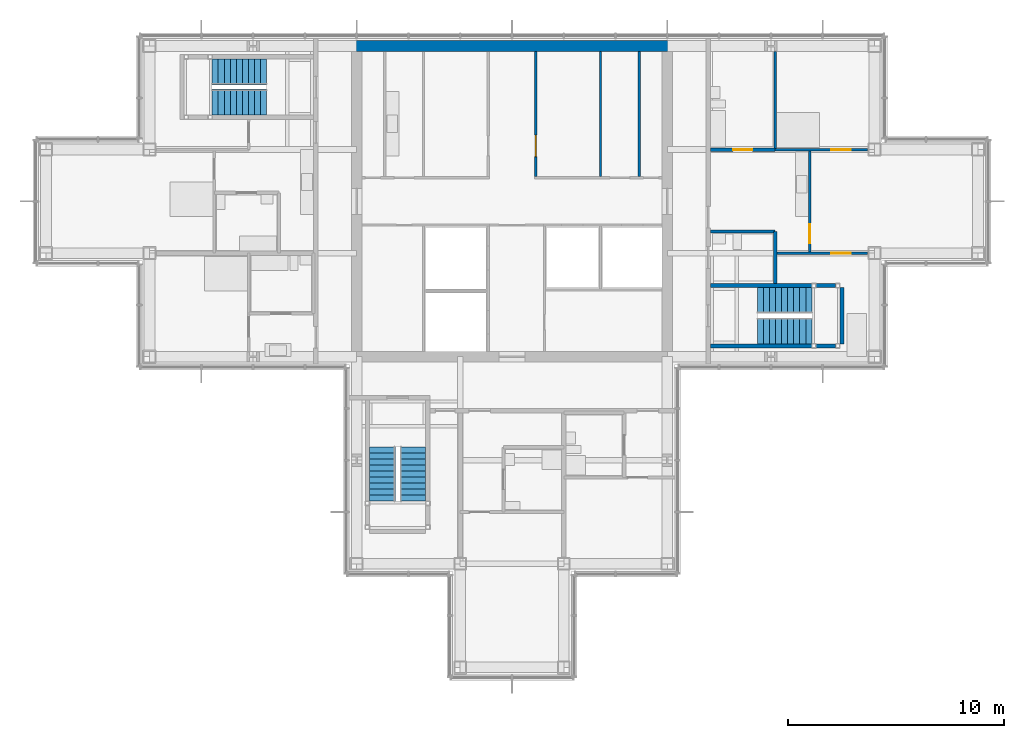
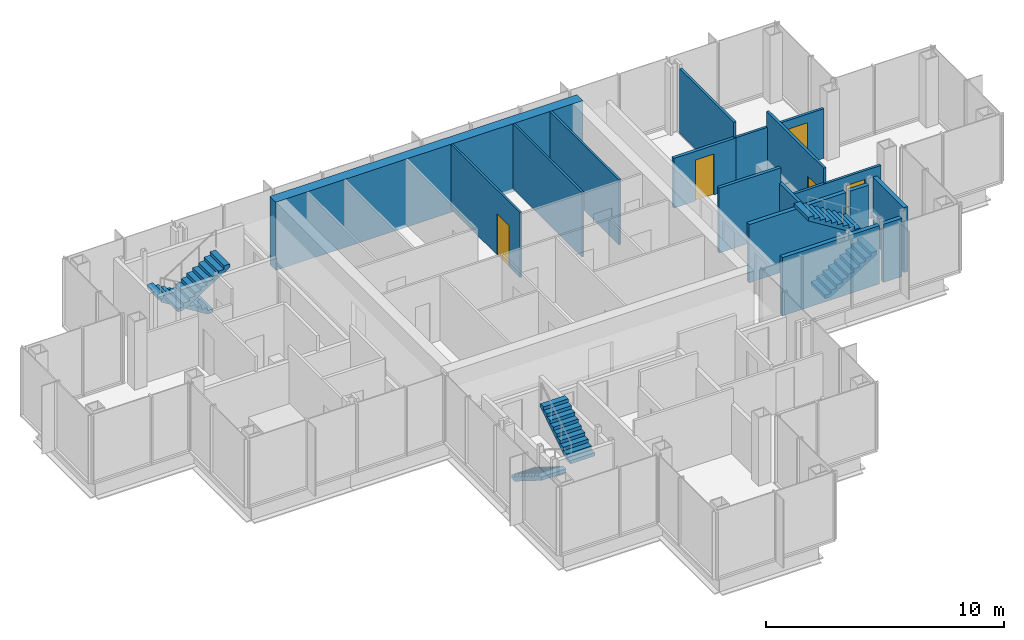
# One storey, part 12 of 15: 16 walls, 6 stair flights, 5 doors, 5 openings, 3 elements without a shape of their own.
"""IFC4 building model written with IfcOpenShell, lengths in metres."""

from ifc_helpers import new_model, si_unit, direction, frame, frame_2d, origin, place, context, subcontext, project, spatial, polyline, rectangle, outline, extrude, material, layer, layer_set, type_object, element, fill, aggregate, save


model = new_model("IFC4")

# Units and contexts
model_context = context("Model", 3, precision=1e-05, world=origin(), true_north=direction((0.0, 1.0)))
body_context = subcontext(model_context, "Body", "Model", "MODEL_VIEW")
ifc_project = project(units=[si_unit("LENGTHUNIT", "METRE"), si_unit("AREAUNIT", "SQUARE_METRE"), si_unit("VOLUMEUNIT", "CUBIC_METRE"), si_unit("PLANEANGLEUNIT", "RADIAN"), si_unit("MASSUNIT", "GRAM", prefix="KILO")], contexts=[model_context])

# Site, building, storey
site_placement = place(None, origin())
site = spatial("IfcSite", under=ifc_project, at=site_placement, CompositionType="ELEMENT")
building_placement = place(site_placement, origin())
building = spatial("IfcBuilding", under=site, at=building_placement, Name="Kvirike Care Tower", CompositionType="ELEMENT")
storey_placement = place(building_placement, frame((0.0, 0.0, 208.5)))
storey = spatial("IfcBuildingStorey", under=building, at=storey_placement, Name="L57", CompositionType="ELEMENT", Elevation=208.5)

# Walls
ifc_material_1 = material(Name="Moisture-resistant board partition", Category="gypsum")
ifc_layer_1 = layer(ifc_material_1, 0.14990234375)
ifc_layer_set_1 = layer_set([ifc_layer_1], Name="BATHROOM WALL 150")
wall_type_1 = type_object("IfcWallType", Name="BATHROOM WALL 150", PredefinedType="PARTITIONING", material=ifc_layer_set_1)
wall_1_placement = place(storey_placement, frame((33.800048828125, 32.199951171875, 0.0), z_axis=(0.0, 0.0, 1.0), x_axis=(0.0, 1.0, 0.0)))
element("IfcWall", 1, at=wall_1_placement, inside=storey, type_object=wall_type_1, Name="Bathroom Wall 150 L57", PredefinedType="PARTITIONING", context=body_context, shape_type="SweptSolid", body=[
    extrude(rectangle(XDim=2.400146484375, YDim=0.14990234375, at=frame_2d((1.2001953125, 0.0))), origin(), (0.0, 0.0, 1.0), 2.550048828125),
])
wall_2_placement = place(storey_placement, frame((33.800048828125, 34.60009765625, 0.0), z_axis=(0.0, 0.0, 1.0), x_axis=(-1.0, 0.0, 0.0)))
element("IfcWall", 2, at=wall_2_placement, inside=storey, type_object=wall_type_1, Name="Bathroom Wall 150 L57", PredefinedType="PARTITIONING", context=body_context, shape_type="SweptSolid", body=[
    extrude(rectangle(XDim=3.0, YDim=0.14990234375, at=frame_2d((1.5, 0.0))), origin(), (0.0, 0.0, 1.0), 3.330078125),
])

# Wall, opening, door
wall_3_placement = place(storey_placement, frame((33.800048828125, 38.39990234375, 0.0), z_axis=(0.0, 0.0, 1.0), x_axis=(-1.0, 0.0, 0.0)))
wall_3 = element("IfcWall", 3, at=wall_3_placement, inside=storey, type_object=wall_type_1, Name="Bathroom Wall 150 L57", PredefinedType="PARTITIONING", context=body_context, shape_type="SweptSolid", body=[
    extrude(rectangle(XDim=3.0, YDim=0.14990234375, at=frame_2d((1.5, 0.0))), origin(), (0.0, 0.0, 1.0), 2.550048828125),
])
opening_1_placement = place(wall_3_placement, frame((1.050048828125, 0.0, 0.0)))
opening_1 = element("IfcOpeningElement", 4, at=opening_1_placement, cuts=wall_3, Name="Opening 57-017", PredefinedType="OPENING", context=body_context, shape_type="SweptSolid", body=[
    extrude(rectangle(XDim=0.89990234375, YDim=2.10009765625, at=frame_2d((0.449951171875, 1.050048828125))), frame((0.0, 0.08544921875, 0.0), z_axis=(0.0, -1.0, 0.0), x_axis=(1.0, 0.0, 0.0)), (0.0, 0.0, 1.0), 0.1708984375),
])
ifc_material_2 = material(Name="Timber door set", Category="wood")
door_type_1 = type_object("IfcDoorType", Name="BATHROOM DOOR 900", OperationType="SINGLE_SWING_RIGHT", PredefinedType="DOOR", material=ifc_material_2)
door_1_placement = place(opening_1_placement, frame((0.89990234375, 0.0, 0.0), z_axis=(0.0, 0.0, 1.0), x_axis=(-1.0, 0.0, 0.0)))
door_1 = element("IfcDoor", 5, at=door_1_placement, inside=storey, type_object=door_type_1, Name="Bathroom door", OperationType="SINGLE_SWING_RIGHT", OverallHeight=2.10009765625, OverallWidth=0.89990234375, PredefinedType="DOOR", context=body_context, shape_type="SweptSolid", body=[
    extrude(rectangle(XDim=0.89990234375, YDim=2.10009765625, at=frame_2d((0.449951171875, 1.050048828125))), frame((0.0, 0.02197265625, 0.0), z_axis=(0.0, -1.0, 0.0), x_axis=(1.0, 0.0, 0.0)), (0.0, 0.0, 1.0), 0.0439453125),
])
fill(opening_1, door_1)

# Wall
ifc_material_3 = material(Name="Concrete C40/50", Category="concrete")
ifc_layer_2 = layer(ifc_material_3, 0.5)
ifc_layer_set_2 = layer_set([ifc_layer_2], Name="CORE WALL 500 C40-50")
wall_type_2 = type_object("IfcWallType", Name="CORE WALL 500 C40-50", PredefinedType="SHEAR", material=ifc_layer_set_2)
wall_4_placement = place(storey_placement, frame((29.050048828125, 43.199951171875, -0.169921875), z_axis=(0.0, 0.0, 1.0), x_axis=(-1.0, 0.0, 0.0)))
element("IfcWall", 6, at=wall_4_placement, inside=storey, type_object=wall_type_2, Name="Core wall N L57", PredefinedType="SHEAR", context=body_context, shape_type="SweptSolid", body=[
    extrude(rectangle(XDim=14.900146484375, YDim=0.5, at=frame_2d((7.4501953125, 0.0))), origin(), (0.0, 0.0, 1.0), 3.5),
])

# Wall, opening, door
ifc_material_4 = material(Name="Plasterboard partition", Category="gypsum")
ifc_layer_3 = layer(ifc_material_4, 0.1201171875)
ifc_layer_set_3 = layer_set([ifc_layer_3], Name="PARTITION 120")
wall_type_3 = type_object("IfcWallType", Name="PARTITION 120", PredefinedType="PARTITIONING", material=ifc_layer_set_3)
wall_5_placement = place(storey_placement, frame((35.39990234375, 33.60009765625, 0.0), z_axis=(0.0, 0.0, 1.0), x_axis=(0.0, 1.0, 0.0)))
wall_5 = element("IfcWall", 7, at=wall_5_placement, inside=storey, type_object=wall_type_3, Name="Partition 120 L57", PredefinedType="PARTITIONING", context=body_context, shape_type="SweptSolid", body=[
    extrude(rectangle(XDim=4.7998046875, YDim=0.1201171875, at=frame_2d((2.39990234375, 0.0))), origin(), (0.0, 0.0, 1.0), 3.330078125),
])
opening_2_placement = place(wall_5_placement, frame((0.449951171875, 0.0, 0.0)))
opening_2 = element("IfcOpeningElement", 8, at=opening_2_placement, cuts=wall_5, Name="Opening 57-018", PredefinedType="OPENING", context=body_context, shape_type="SweptSolid", body=[
    extrude(rectangle(XDim=0.89990234375, YDim=2.10009765625, at=frame_2d((0.449951171875, 1.050048828125))), frame((0.0, 0.070556640625, 0.0), z_axis=(0.0, -1.0, 0.0), x_axis=(1.0, 0.0, 0.0)), (0.0, 0.0, 1.0), 0.14111328125),
])
ifc_material_5 = material(Name="Timber door set", Category="wood")
door_type_2 = type_object("IfcDoorType", Name="INTERNAL DOOR 900", OperationType="SINGLE_SWING_LEFT", PredefinedType="DOOR", material=ifc_material_5)
door_2_placement = place(opening_2_placement, origin())
door_2 = element("IfcDoor", 9, at=door_2_placement, inside=storey, type_object=door_type_2, Name="Apartment living room door", OperationType="SINGLE_SWING_RIGHT", OverallHeight=2.10009765625, OverallWidth=0.89990234375, PredefinedType="DOOR", context=body_context, shape_type="SweptSolid", body=[
    extrude(rectangle(XDim=0.89990234375, YDim=2.10009765625, at=frame_2d((0.449951171875, 1.050048828125))), frame((0.0, 0.02197265625, 0.0), z_axis=(0.0, -1.0, 0.0), x_axis=(1.0, 0.0, 0.0)), (0.0, 0.0, 1.0), 0.0439453125),
])
fill(opening_2, door_2)

# Wall
wall_6_placement = place(storey_placement, frame((33.800048828125, 38.39990234375, 0.0), z_axis=(0.0, 0.0, 1.0), x_axis=(0.0, 1.0, 0.0)))
element("IfcWall", 10, at=wall_6_placement, inside=storey, type_object=wall_type_3, Name="Partition 120 L57", PredefinedType="PARTITIONING", context=body_context, shape_type="SweptSolid", body=[
    extrude(rectangle(XDim=4.552978515625, YDim=0.1201171875, at=frame_2d((2.2763671875, 0.0))), origin(), (0.0, 0.0, 1.0), 3.330078125),
])

# Wall, opening, door
wall_7_placement = place(storey_placement, frame((38.080078125, 33.60009765625, 0.0), z_axis=(0.0, 0.0, 1.0), x_axis=(-1.0, 0.0, 0.0)))
wall_7 = element("IfcWall", 11, at=wall_7_placement, inside=storey, type_object=wall_type_3, Name="Partition 120 L57", PredefinedType="PARTITIONING", context=body_context, shape_type="SweptSolid", body=[
    extrude(rectangle(XDim=4.280029296875, YDim=0.1201171875, at=frame_2d((2.14013671875, 0.0))), origin(), (0.0, 0.0, 1.0), 2.550048828125),
])
opening_3_placement = place(wall_7_placement, frame((0.780029296875, 0.0, 0.0)))
opening_3 = element("IfcOpeningElement", 12, at=opening_3_placement, cuts=wall_7, Name="Opening 57-019", PredefinedType="OPENING", context=body_context, shape_type="SweptSolid", body=[
    extrude(rectangle(XDim=0.89990234375, YDim=2.10009765625, at=frame_2d((0.449951171875, 1.050048828125))), frame((0.0, 0.070556640625, 0.0), z_axis=(0.0, -1.0, 0.0), x_axis=(1.0, 0.0, 0.0)), (0.0, 0.0, 1.0), 0.14111328125),
])
door_3_placement = place(opening_3_placement, origin())
door_3 = element("IfcDoor", 13, at=door_3_placement, inside=storey, type_object=door_type_2, Name="Connecting door", OperationType="SINGLE_SWING_RIGHT", OverallHeight=2.10009765625, OverallWidth=0.89990234375, PredefinedType="DOOR", context=body_context, shape_type="SweptSolid", body=[
    extrude(rectangle(XDim=0.89990234375, YDim=2.10009765625, at=frame_2d((0.449951171875, 1.050048828125))), frame((0.0, 0.02197265625, 0.0), z_axis=(0.0, -1.0, 0.0), x_axis=(1.0, 0.0, 0.0)), (0.0, 0.0, 1.0), 0.0439453125),
])
fill(opening_3, door_3)

wall_8_placement = place(storey_placement, frame((38.080078125, 38.39990234375, 0.0), z_axis=(0.0, 0.0, 1.0), x_axis=(-1.0, 0.0, 0.0)))
wall_8 = element("IfcWall", 14, at=wall_8_placement, inside=storey, type_object=wall_type_3, Name="Partition 120 L57", PredefinedType="PARTITIONING", context=body_context, shape_type="SweptSolid", body=[
    extrude(rectangle(XDim=4.280029296875, YDim=0.1201171875, at=frame_2d((2.14013671875, 0.0))), origin(), (0.0, 0.0, 1.0), 2.550048828125),
])
opening_4_placement = place(wall_8_placement, frame((0.780029296875, 0.0, 0.0)))
opening_4 = element("IfcOpeningElement", 15, at=opening_4_placement, cuts=wall_8, Name="Opening 57-020", PredefinedType="OPENING", context=body_context, shape_type="SweptSolid", body=[
    extrude(rectangle(XDim=0.89990234375, YDim=2.10009765625, at=frame_2d((0.449951171875, 1.050048828125))), frame((0.0, 0.070556640625, 0.0), z_axis=(0.0, -1.0, 0.0), x_axis=(1.0, 0.0, 0.0)), (0.0, 0.0, 1.0), 0.14111328125),
])
door_4_placement = place(opening_4_placement, frame((0.89990234375, 0.0, 0.0), z_axis=(0.0, 0.0, 1.0), x_axis=(-1.0, 0.0, 0.0)))
door_4 = element("IfcDoor", 16, at=door_4_placement, inside=storey, type_object=door_type_2, Name="Connecting door", OperationType="SINGLE_SWING_LEFT", OverallHeight=2.10009765625, OverallWidth=0.89990234375, PredefinedType="DOOR", context=body_context, shape_type="SweptSolid", body=[
    extrude(rectangle(XDim=0.89990234375, YDim=2.10009765625, at=frame_2d((0.449951171875, 1.050048828125))), frame((0.0, 0.02197265625, 0.0), z_axis=(0.0, -1.0, 0.0), x_axis=(1.0, 0.0, 0.0)), (0.0, 0.0, 1.0), 0.0439453125),
])
fill(opening_4, door_4)

# Wall
ifc_material_6 = material(Name="Gypsum shaft wall system", Category="gypsum")
ifc_layer_4 = layer(ifc_material_6, 0.10009765625)
ifc_layer_set_4 = layer_set([ifc_layer_4], Name="SHAFT WALL 100")
wall_type_4 = type_object("IfcWallType", Name="SHAFT WALL 100", PredefinedType="SOLIDWALL", material=ifc_layer_set_4)
wall_9_placement = place(storey_placement, frame((27.5, 37.14990234375, 0.0), z_axis=(0.0, 0.0, 1.0), x_axis=(0.0, 1.0, 0.0)))
element("IfcWall", 17, at=wall_9_placement, inside=storey, type_object=wall_type_4, Name="Shaft Wall 100 L57", PredefinedType="SOLIDWALL", context=body_context, shape_type="SweptSolid", body=[
    extrude(rectangle(XDim=5.800048828125, YDim=0.10009765625, at=frame_2d((2.89990234375, 0.0))), origin(), (0.0, 0.0, 1.0), 3.330078125),
])

# Wall, opening, door
wall_10_placement = place(storey_placement, frame((22.699951171875, 37.14990234375, 0.0), z_axis=(0.0, 0.0, 1.0), x_axis=(0.0, 1.0, 0.0)))
wall_10 = element("IfcWall", 18, at=wall_10_placement, inside=storey, type_object=wall_type_4, Name="Shaft Wall 100 L57", PredefinedType="SOLIDWALL", context=body_context, shape_type="SweptSolid", body=[
    extrude(rectangle(XDim=5.800048828125, YDim=0.10009765625, at=frame_2d((2.89990234375, 0.0))), origin(), (0.0, 0.0, 1.0), 3.330078125),
])
opening_5_placement = place(wall_10_placement, frame((0.925048828125, 0.0, 0.0)))
opening_5 = element("IfcOpeningElement", 19, at=opening_5_placement, cuts=wall_10, Name="Opening 57-027", PredefinedType="OPENING", context=body_context, shape_type="SweptSolid", body=[
    extrude(rectangle(XDim=1.0, YDim=2.10009765625, at=frame_2d((0.5, 1.050048828125))), frame((0.0, 0.060546875, 0.0), z_axis=(0.0, -1.0, 0.0), x_axis=(1.0, 0.0, 0.0)), (0.0, 0.0, 1.0), 0.12109375),
])
ifc_material_7 = material(Name="Timber door set", Category="wood")
door_type_3 = type_object("IfcDoorType", Name="WC DOOR 1000", OperationType="SINGLE_SWING_LEFT", PredefinedType="DOOR", material=ifc_material_7)
door_5_placement = place(opening_5_placement, frame((1.0, 0.0, 0.0), z_axis=(0.0, 0.0, 1.0), x_axis=(-1.0, 0.0, 0.0)))
door_5 = element("IfcDoor", 20, at=door_5_placement, inside=storey, type_object=door_type_3, Name="Staff WC door", OperationType="SINGLE_SWING_LEFT", OverallHeight=2.10009765625, OverallWidth=1.0, PredefinedType="DOOR", context=body_context, shape_type="SweptSolid", body=[
    extrude(rectangle(XDim=1.0, YDim=2.10009765625, at=frame_2d((0.5, 1.050048828125))), frame((0.0, 0.02685546875, 0.0), z_axis=(0.0, -1.0, 0.0), x_axis=(1.0, 0.0, 0.0)), (0.0, 0.0, 1.0), 0.053955078125),
])
fill(opening_5, door_5)

# Walls
wall_11_placement = place(storey_placement, frame((25.699951171875, 37.14990234375, 0.0), z_axis=(0.0, 0.0, 1.0), x_axis=(0.0, 1.0, 0.0)))
element("IfcWall", 21, at=wall_11_placement, inside=storey, type_object=wall_type_4, Name="Shaft Wall 100 L57", PredefinedType="SOLIDWALL", context=body_context, shape_type="SweptSolid", body=[
    extrude(rectangle(XDim=5.800048828125, YDim=0.10009765625, at=frame_2d((2.89990234375, 0.0))), origin(), (0.0, 0.0, 1.0), 3.330078125),
])
ifc_material_8 = material(Name="Concrete C40/50", Category="concrete")
ifc_layer_5 = layer(ifc_material_8, 0.199951171875)
ifc_layer_set_5 = layer_set([ifc_layer_5], Name="STAIR WALL 200")
wall_type_5 = type_object("IfcWallType", Name="STAIR WALL 200", PredefinedType="SOLIDWALL", material=ifc_layer_set_5)
wall_12_placement = place(storey_placement, frame((36.60009765625, 29.300048828125, 0.0), z_axis=(0.0, 0.0, 1.0), x_axis=(-1.0, 0.0, 0.0)))
element("IfcWall", 22, at=wall_12_placement, inside=storey, type_object=wall_type_5, Name="Stair Wall 200 L57", PredefinedType="SOLIDWALL", context=body_context, shape_type="SweptSolid", body=[
    extrude(rectangle(XDim=0.900146484375, YDim=0.199951171875, at=frame_2d((0.4501953125, 0.0))), origin(), (0.0, 0.0, 1.0), 2.989990234375),
])
wall_13_placement = place(storey_placement, frame((35.5, 29.300048828125, 0.0), z_axis=(0.0, 0.0, 1.0), x_axis=(-1.0, 0.0, 0.0)))
element("IfcWall", 23, at=wall_13_placement, inside=storey, type_object=wall_type_5, Name="Stair Wall 200 L57", PredefinedType="SOLIDWALL", context=body_context, shape_type="SweptSolid", body=[
    extrude(rectangle(XDim=4.699951171875, YDim=0.199951171875, at=frame_2d((2.35009765625, 0.0))), origin(), (0.0, 0.0, 1.0), 2.989990234375),
])
wall_14_placement = place(storey_placement, frame((36.60009765625, 32.10009765625, 0.0), z_axis=(0.0, 0.0, 1.0), x_axis=(-1.0, 0.0, 0.0)))
element("IfcWall", 24, at=wall_14_placement, inside=storey, type_object=wall_type_5, Name="Stair Wall 200 L57", PredefinedType="SOLIDWALL", context=body_context, shape_type="SweptSolid", body=[
    extrude(rectangle(XDim=0.900146484375, YDim=0.199951171875, at=frame_2d((0.4501953125, 0.0))), origin(), (0.0, 0.0, 1.0), 2.989990234375),
])
wall_15_placement = place(storey_placement, frame((35.5, 32.10009765625, 0.0), z_axis=(0.0, 0.0, 1.0), x_axis=(-1.0, 0.0, 0.0)))
element("IfcWall", 25, at=wall_15_placement, inside=storey, type_object=wall_type_5, Name="Stair Wall 200 L57", PredefinedType="SOLIDWALL", context=body_context, shape_type="SweptSolid", body=[
    extrude(rectangle(XDim=4.699951171875, YDim=0.199951171875, at=frame_2d((2.35009765625, 0.0))), origin(), (0.0, 0.0, 1.0), 2.989990234375),
])
wall_16_placement = place(storey_placement, frame((36.89990234375, 29.39990234375, 0.0), z_axis=(0.0, 0.0, 1.0), x_axis=(0.0, 1.0, 0.0)))
element("IfcWall", 26, at=wall_16_placement, inside=storey, type_object=wall_type_5, Name="Stair Wall 200 L57", PredefinedType="SOLIDWALL", context=body_context, shape_type="SweptSolid", body=[
    extrude(rectangle(XDim=2.60009765625, YDim=0.199951171875, at=frame_2d((1.300048828125, 0.0))), origin(), (0.0, 0.0, 1.0), 3.330078125),
])

# Stair, stair flights
ifc_material_9 = material(Name="Concrete C35/45", Category="concrete")
stair_type = type_object("IfcStairType", Name="STAIR 20 RISERS", PredefinedType="HALF_TURN_STAIR", material=ifc_material_9)
stair_1_placement = place(storey_placement, origin())
stair_1 = element("IfcStair", 27, at=stair_1_placement, inside=storey, type_object=stair_type, Name="Stair 1 L57", PredefinedType="HALF_TURN_STAIR")
ifc_material_10 = material(Name="Concrete C35/45", Category="concrete")
stair_flight_type = type_object("IfcStairFlightType", Name="FLIGHT 10 RISERS", PredefinedType="STRAIGHT", material=ifc_material_10)
stair_flight_1_placement = place(storey_placement, frame((10.219970703125, 42.0, 0.0), z_axis=(0.0, 0.0, 1.0), x_axis=(-1.0, 0.0, 0.0)))
stair_flight_1 = element("IfcStairFlight", 28, at=stair_flight_1_placement, type_object=stair_flight_type, Name="Stair S1 flight 1 L57-L58", NumberOfRisers=10, NumberOfTreads=9, PredefinedType="STRAIGHT", RiserHeight=0.175, TreadLength=0.28, context=body_context, shape_type="SweptSolid", body=[
    extrude(outline(polyline([(0.0, 0.0), (0.0, 0.175048828125), (0.280029296875, 0.175048828125), (0.280029296875, 0.35009765625), (0.56005859375, 0.35009765625), (0.56005859375, 0.52490234375), (0.840087890625, 0.52490234375), (0.840087890625, 0.699951171875), (1.1201171875, 0.699951171875), (1.1201171875, 0.875), (1.39990234375, 0.875), (1.39990234375, 1.050048828125), (1.679931640625, 1.050048828125), (1.679931640625, 1.22509765625), (1.9599609375, 1.22509765625), (1.9599609375, 1.39990234375), (2.239990234375, 1.39990234375), (2.239990234375, 1.574951171875), (2.52001953125, 1.574951171875), (2.52001953125, 1.75), (2.52001953125, 1.398193359375), (0.28271484375, 0.0), (0.0, 0.0)])), frame((0.0, 0.60009765625, 0.0), z_axis=(0.0, -1.0, 0.0), x_axis=(1.0, 0.0, 0.0)), (0.0, 0.0, 1.0), 1.199951171875),
])
stair_flight_2_placement = place(storey_placement, frame((7.699951171875, 40.60009765625, 1.75), z_axis=(0.0, 0.0, 1.0), x_axis=(1.0, 0.0, 0.0)))
stair_flight_2 = element("IfcStairFlight", 29, at=stair_flight_2_placement, type_object=stair_flight_type, Name="Stair S1 flight 2 L57-L58", NumberOfRisers=10, NumberOfTreads=9, PredefinedType="STRAIGHT", RiserHeight=0.175, TreadLength=0.28, context=body_context, shape_type="SweptSolid", body=[
    extrude(outline(polyline([(0.0, 0.0), (0.0, 0.175048828125), (0.280029296875, 0.175048828125), (0.280029296875, 0.35009765625), (0.56005859375, 0.35009765625), (0.56005859375, 0.52490234375), (0.840087890625, 0.52490234375), (0.840087890625, 0.699951171875), (1.1201171875, 0.699951171875), (1.1201171875, 0.875), (1.39990234375, 0.875), (1.39990234375, 1.050048828125), (1.679931640625, 1.050048828125), (1.679931640625, 1.22509765625), (1.9599609375, 1.22509765625), (1.9599609375, 1.39990234375), (2.239990234375, 1.39990234375), (2.239990234375, 1.574951171875), (2.52001953125, 1.574951171875), (2.52001953125, 1.75), (2.52001953125, 1.398193359375), (0.28271484375, 0.0), (0.0, 0.0)])), frame((0.0, 0.60009765625, 0.0), z_axis=(0.0, -1.0, 0.0), x_axis=(1.0, 0.0, 0.0)), (0.0, 0.0, 1.0), 1.199951171875),
])
aggregate(stair_1, [stair_flight_1, stair_flight_2])

stair_2_placement = place(storey_placement, origin())
stair_2 = element("IfcStair", 30, at=stair_2_placement, inside=storey, type_object=stair_type, Name="Stair 2 L57", PredefinedType="HALF_TURN_STAIR")
stair_flight_3_placement = place(storey_placement, frame((32.97998046875, 30.0, 0.0), z_axis=(0.0, 0.0, 1.0), x_axis=(1.0, 0.0, 0.0)))
stair_flight_3 = element("IfcStairFlight", 31, at=stair_flight_3_placement, type_object=stair_flight_type, Name="Stair S2 flight 1 L57-L58", NumberOfRisers=10, NumberOfTreads=9, PredefinedType="STRAIGHT", RiserHeight=0.175, TreadLength=0.28, context=body_context, shape_type="SweptSolid", body=[
    extrude(outline(polyline([(0.0, 0.0), (0.0, 0.175048828125), (0.280029296875, 0.175048828125), (0.280029296875, 0.35009765625), (0.56005859375, 0.35009765625), (0.56005859375, 0.52490234375), (0.840087890625, 0.52490234375), (0.840087890625, 0.699951171875), (1.1201171875, 0.699951171875), (1.1201171875, 0.875), (1.39990234375, 0.875), (1.39990234375, 1.050048828125), (1.679931640625, 1.050048828125), (1.679931640625, 1.22509765625), (1.9599609375, 1.22509765625), (1.9599609375, 1.39990234375), (2.239990234375, 1.39990234375), (2.239990234375, 1.574951171875), (2.52001953125, 1.574951171875), (2.52001953125, 1.75), (2.52001953125, 1.398193359375), (0.28271484375, 0.0), (0.0, 0.0)])), frame((0.0, 0.60009765625, 0.0), z_axis=(0.0, -1.0, 0.0), x_axis=(1.0, 0.0, 0.0)), (0.0, 0.0, 1.0), 1.199951171875),
])
stair_flight_4_placement = place(storey_placement, frame((35.5, 31.39990234375, 1.75), z_axis=(0.0, 0.0, 1.0), x_axis=(-1.0, 0.0, 0.0)))
stair_flight_4 = element("IfcStairFlight", 32, at=stair_flight_4_placement, type_object=stair_flight_type, Name="Stair S2 flight 2 L57-L58", NumberOfRisers=10, NumberOfTreads=9, PredefinedType="STRAIGHT", RiserHeight=0.175, TreadLength=0.28, context=body_context, shape_type="SweptSolid", body=[
    extrude(outline(polyline([(0.0, 0.0), (0.0, 0.175048828125), (0.280029296875, 0.175048828125), (0.280029296875, 0.35009765625), (0.56005859375, 0.35009765625), (0.56005859375, 0.52490234375), (0.840087890625, 0.52490234375), (0.840087890625, 0.699951171875), (1.1201171875, 0.699951171875), (1.1201171875, 0.875), (1.39990234375, 0.875), (1.39990234375, 1.050048828125), (1.679931640625, 1.050048828125), (1.679931640625, 1.22509765625), (1.9599609375, 1.22509765625), (1.9599609375, 1.39990234375), (2.239990234375, 1.39990234375), (2.239990234375, 1.574951171875), (2.52001953125, 1.574951171875), (2.52001953125, 1.75), (2.52001953125, 1.398193359375), (0.28271484375, 0.0), (0.0, 0.0)])), frame((0.0, 0.60009765625, 0.0), z_axis=(0.0, -1.0, 0.0), x_axis=(1.0, 0.0, 0.0)), (0.0, 0.0, 1.0), 1.199951171875),
])
aggregate(stair_2, [stair_flight_3, stair_flight_4])

stair_3_placement = place(storey_placement, origin())
stair_3 = element("IfcStair", 33, at=stair_3_placement, inside=storey, type_object=stair_type, Name="Stair 5 L57", PredefinedType="HALF_TURN_STAIR")
stair_flight_5_placement = place(storey_placement, frame((15.60009765625, 24.6201171875, 0.0), z_axis=(0.0, 0.0, 1.0), x_axis=(0.0, -1.0, 0.0)))
stair_flight_5 = element("IfcStairFlight", 34, at=stair_flight_5_placement, type_object=stair_flight_type, Name="Stair S5 flight 1 L57-L58", NumberOfRisers=10, NumberOfTreads=9, PredefinedType="STRAIGHT", RiserHeight=0.175, TreadLength=0.28, context=body_context, shape_type="SweptSolid", body=[
    extrude(outline(polyline([(0.0, 0.0), (0.0, 0.175048828125), (0.280029296875, 0.175048828125), (0.280029296875, 0.35009765625), (0.56005859375, 0.35009765625), (0.56005859375, 0.52490234375), (0.840087890625, 0.52490234375), (0.840087890625, 0.699951171875), (1.1201171875, 0.699951171875), (1.1201171875, 0.875), (1.39990234375, 0.875), (1.39990234375, 1.050048828125), (1.679931640625, 1.050048828125), (1.679931640625, 1.22509765625), (1.9599609375, 1.22509765625), (1.9599609375, 1.39990234375), (2.239990234375, 1.39990234375), (2.239990234375, 1.574951171875), (2.52001953125, 1.574951171875), (2.52001953125, 1.75), (2.52001953125, 1.398193359375), (0.28271484375, 0.0), (0.0, 0.0)])), frame((0.0, 0.60009765625, 0.0), z_axis=(0.0, -1.0, 0.0), x_axis=(1.0, 0.0, 0.0)), (0.0, 0.0, 1.0), 1.199951171875),
])
stair_flight_6_placement = place(storey_placement, frame((17.0, 22.10009765625, 1.75), z_axis=(0.0, 0.0, 1.0), x_axis=(0.0, 1.0, 0.0)))
stair_flight_6 = element("IfcStairFlight", 35, at=stair_flight_6_placement, type_object=stair_flight_type, Name="Stair S5 flight 2 L57-L58", NumberOfRisers=10, NumberOfTreads=9, PredefinedType="STRAIGHT", RiserHeight=0.175, TreadLength=0.28, context=body_context, shape_type="SweptSolid", body=[
    extrude(outline(polyline([(0.0, 0.0), (0.0, 0.175048828125), (0.280029296875, 0.175048828125), (0.280029296875, 0.35009765625), (0.56005859375, 0.35009765625), (0.56005859375, 0.52490234375), (0.840087890625, 0.52490234375), (0.840087890625, 0.699951171875), (1.1201171875, 0.699951171875), (1.1201171875, 0.875), (1.39990234375, 0.875), (1.39990234375, 1.050048828125), (1.679931640625, 1.050048828125), (1.679931640625, 1.22509765625), (1.9599609375, 1.22509765625), (1.9599609375, 1.39990234375), (2.239990234375, 1.39990234375), (2.239990234375, 1.574951171875), (2.52001953125, 1.574951171875), (2.52001953125, 1.75), (2.52001953125, 1.398193359375), (0.28271484375, 0.0), (0.0, 0.0)])), frame((0.0, 0.60009765625, 0.0), z_axis=(0.0, -1.0, 0.0), x_axis=(1.0, 0.0, 0.0)), (0.0, 0.0, 1.0), 1.199951171875),
])
aggregate(stair_3, [stair_flight_5, stair_flight_6])

save(model, "model.ifc")
